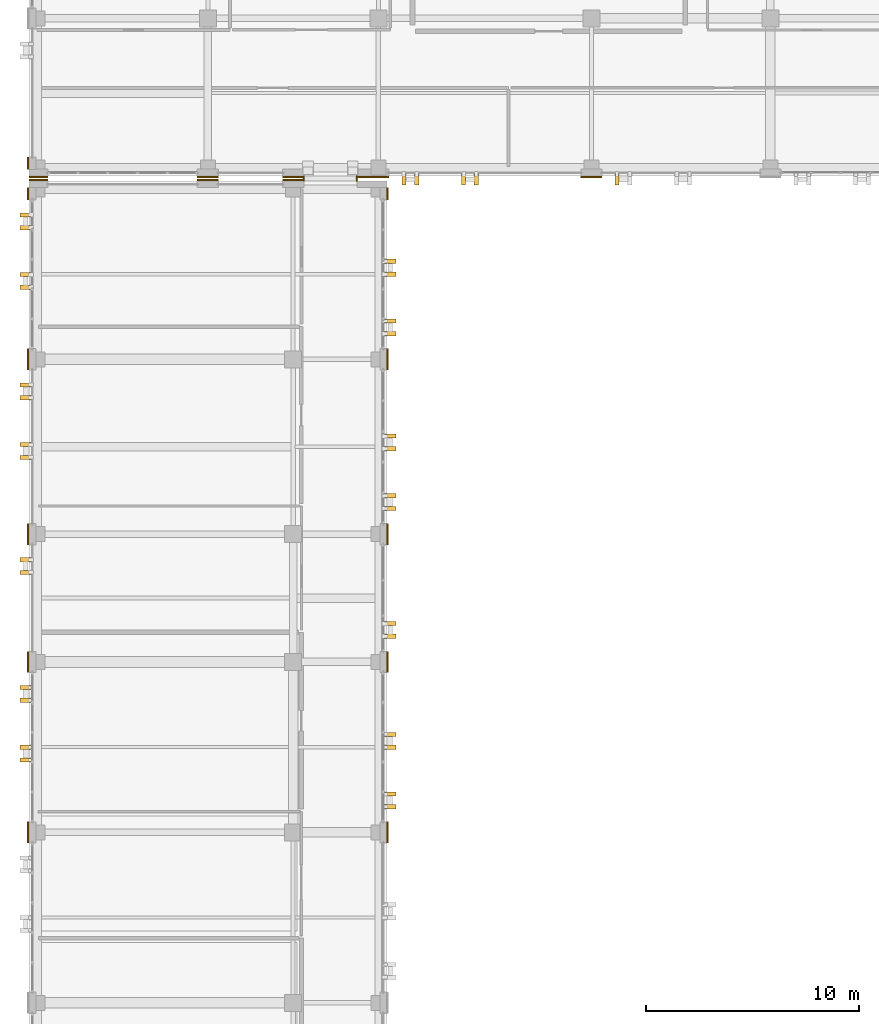
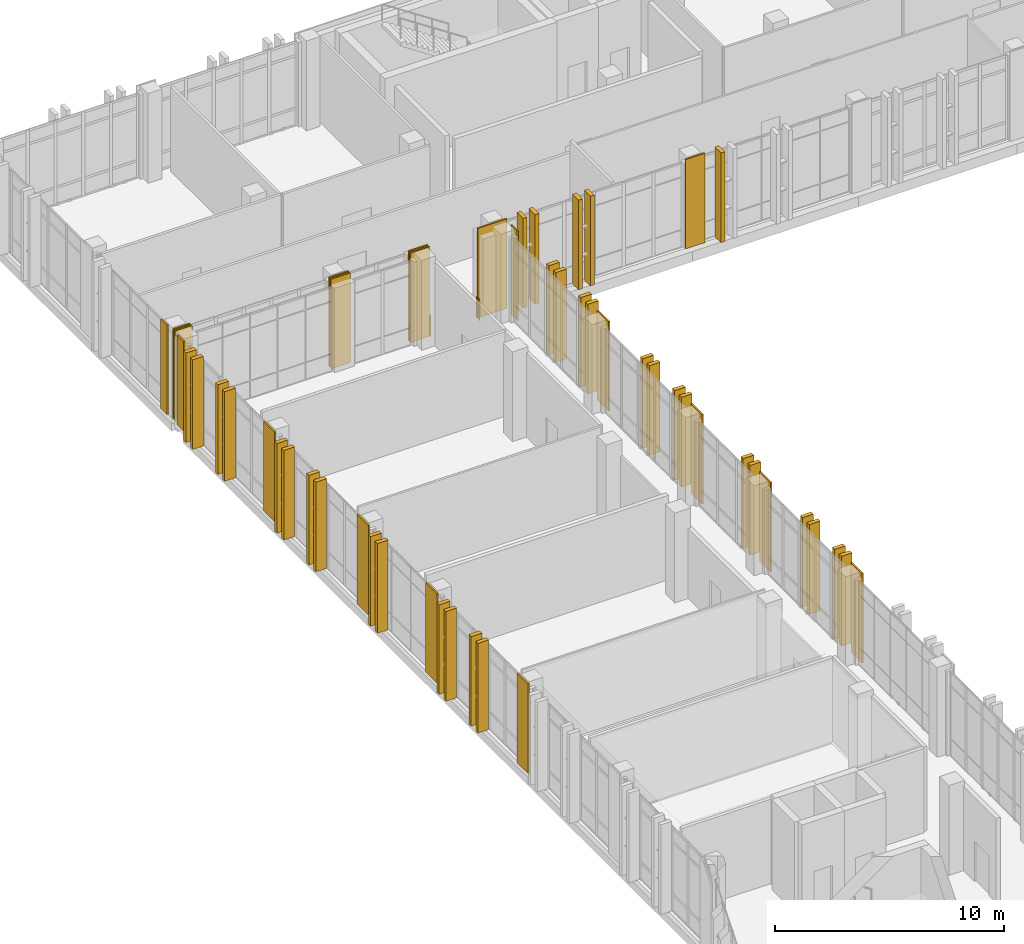
# One storey, part 178 of 189: 52 coverings, 2 railings.
"""IFC4 building model written with IfcOpenShell, lengths in metres."""

from ifc_helpers import new_model, si_unit, direction, frame, origin, origin_2d, place, context, subcontext, project, spatial, rectangle, circle, extrude, material, layer, layer_set, type_object, element, save


model = new_model("IFC4")

# Units and contexts
model_context = context("Model", 3, precision=1e-05, world=origin(), true_north=direction((0.0, 1.0)))
body_context = subcontext(model_context, "Body", "Model", "MODEL_VIEW")
ifc_project = project(units=[si_unit("LENGTHUNIT", "METRE"), si_unit("AREAUNIT", "SQUARE_METRE"), si_unit("VOLUMEUNIT", "CUBIC_METRE"), si_unit("PLANEANGLEUNIT", "RADIAN"), si_unit("MASSUNIT", "GRAM", prefix="KILO")], contexts=[model_context])

# Site, building, storey
site_placement = place(None, origin())
site = spatial("IfcSite", under=ifc_project, at=site_placement, CompositionType="ELEMENT")
building_placement = place(site_placement, origin())
building = spatial("IfcBuilding", under=site, at=building_placement, Name="Qalavern Law Courts", CompositionType="ELEMENT")
storey_placement = place(building_placement, frame((0.0, 0.0, 5.39990234375)))
storey = spatial("IfcBuildingStorey", under=building, at=storey_placement, Name="L01", CompositionType="ELEMENT", Elevation=5.39990234375)

# Railings
ifc_material_1 = material(Name="Steel S355", Category="steel")
railing_type = type_object("IfcRailingType", Name="ENV-BAL-1120", PredefinedType="BALUSTRADE", material=ifc_material_1)
for number, where, name in (
    (1, (14.909912109375, 95.97998046875, 0.0), "Bridge BR-V3-V5 joint guard L01-1"),
    (2, (17.389892578125, 95.97998046875, 0.0), "Bridge BR-V3-V5 joint guard L01-2"),
):
    element("IfcRailing", number, at=place(storey_placement, frame(where)), inside=storey, type_object=railing_type, Name=name, PredefinedType="BALUSTRADE", context=body_context, shape_type="SweptSolid", body=[
        extrude(circle(Radius=0.02392578125, at=origin_2d()), frame((0.0, 0.0, 1.09619140625), z_axis=(0.0, 1.0, 0.0), x_axis=(-1.0, 0.0, 0.0)), (0.0, 0.0, 1.0), 0.219970703125),
        extrude(circle(Radius=0.02099609375, at=origin_2d()), origin(), (0.0, 0.0, 1.0), 1.072021484375),
        extrude(circle(Radius=0.02099609375, at=origin_2d()), frame((0.0, 0.219970703125, 0.0)), (0.0, 0.0, 1.0), 1.072021484375),
    ])

# Coverings
ifc_material_2 = material(Name="Precast concrete C40/50", Category="concrete")
ifc_layer_1 = layer(ifc_material_2, 0.199951171875)
ifc_layer_set_1 = layer_set([ifc_layer_1], Name="Precast concrete C40/50")
covering_type_1 = type_object("IfcCoveringType", Name="ENV-BLD-1", PredefinedType="CLADDING", material=ifc_layer_set_1)
for number, where, z_axis, x_axis, name in (
    (3, (18.947509765625, 66.60009765625, 0.005126953125), (0.0, 0.0, 1.0), (1.0, 0.0, 0.0), "Absheron stone facade blade 0209"),
    (4, (18.947509765625, 67.199951171875, 0.005126953125), (0.0, 0.0, 1.0), (1.0, 0.0, 0.0), "Absheron stone facade blade 0210"),
    (5, (18.947509765625, 69.39990234375, 0.005126953125), (0.0, 0.0, 1.0), (1.0, 0.0, 0.0), "Absheron stone facade blade 0211"),
    (6, (18.947509765625, 70.0, 0.005126953125), (0.0, 0.0, 1.0), (1.0, 0.0, 0.0), "Absheron stone facade blade 0212"),
    (7, (18.947509765625, 74.60009765625, 0.005126953125), (0.0, 0.0, 1.0), (1.0, 0.0, 0.0), "Absheron stone facade blade 0213"),
    (8, (18.947509765625, 75.199951171875, 0.005126953125), (0.0, 0.0, 1.0), (1.0, 0.0, 0.0), "Absheron stone facade blade 0214"),
    (9, (18.947509765625, 80.60009765625, 0.005126953125), (0.0, 0.0, 1.0), (1.0, 0.0, 0.0), "Absheron stone facade blade 0215"),
    (10, (18.947509765625, 81.199951171875, 0.005126953125), (0.0, 0.0, 1.0), (1.0, 0.0, 0.0), "Absheron stone facade blade 0216"),
    (11, (18.947509765625, 83.39990234375, 0.005126953125), (0.0, 0.0, 1.0), (1.0, 0.0, 0.0), "Absheron stone facade blade 0217"),
    (12, (18.947509765625, 84.0, 0.005126953125), (0.0, 0.0, 1.0), (1.0, 0.0, 0.0), "Absheron stone facade blade 0218"),
    (13, (18.947509765625, 88.800048828125, 0.005126953125), (0.0, 0.0, 1.0), (1.0, 0.0, 0.0), "Absheron stone facade blade 0219"),
    (14, (18.947509765625, 89.39990234375, 0.005126953125), (0.0, 0.0, 1.0), (1.0, 0.0, 0.0), "Absheron stone facade blade 0220"),
    (15, (18.947509765625, 91.60009765625, 0.005126953125), (0.0, 0.0, 1.0), (1.0, 0.0, 0.0), "Absheron stone facade blade 0221"),
    (16, (18.947509765625, 92.199951171875, 0.005126953125), (0.0, 0.0, 1.0), (1.0, 0.0, 0.0), "Absheron stone facade blade 0222"),
    (17, (1.8525390625, 94.3798828125, 0.005126953125), (0.0, 0.0, 1.0), (-1.0, 0.0, 0.0), "Absheron stone facade blade 0223"),
    (18, (1.8525390625, 93.780029296875, 0.005126953125), (0.0, 0.0, 1.0), (-1.0, 0.0, 0.0), "Absheron stone facade blade 0224"),
    (19, (1.8525390625, 91.580078125, 0.005126953125), (0.0, 0.0, 1.0), (-1.0, 0.0, 0.0), "Absheron stone facade blade 0225"),
    (20, (1.8525390625, 90.97998046875, 0.005126953125), (0.0, 0.0, 1.0), (-1.0, 0.0, 0.0), "Absheron stone facade blade 0226"),
    (21, (1.8525390625, 86.39990234375, 0.005126953125), (0.0, 0.0, 1.0), (-1.0, 0.0, 0.0), "Absheron stone facade blade 0227"),
    (22, (1.8525390625, 85.800048828125, 0.005126953125), (0.0, 0.0, 1.0), (-1.0, 0.0, 0.0), "Absheron stone facade blade 0228"),
    (23, (1.8525390625, 83.60009765625, 0.005126953125), (0.0, 0.0, 1.0), (-1.0, 0.0, 0.0), "Absheron stone facade blade 0229"),
    (24, (1.8525390625, 83.0, 0.005126953125), (0.0, 0.0, 1.0), (-1.0, 0.0, 0.0), "Absheron stone facade blade 0230"),
    (25, (1.8525390625, 78.199951171875, 0.005126953125), (0.0, 0.0, 1.0), (-1.0, 0.0, 0.0), "Absheron stone facade blade 0231"),
    (26, (1.8525390625, 77.60009765625, 0.005126953125), (0.0, 0.0, 1.0), (-1.0, 0.0, 0.0), "Absheron stone facade blade 0232"),
    (27, (1.8525390625, 72.199951171875, 0.005126953125), (0.0, 0.0, 1.0), (-1.0, 0.0, 0.0), "Absheron stone facade blade 0233"),
    (28, (1.8525390625, 71.60009765625, 0.005126953125), (0.0, 0.0, 1.0), (-1.0, 0.0, 0.0), "Absheron stone facade blade 0234"),
    (29, (1.8525390625, 69.39990234375, 0.005126953125), (0.0, 0.0, 1.0), (-1.0, 0.0, 0.0), "Absheron stone facade blade 0235"),
    (30, (1.8525390625, 68.800048828125, 0.005126953125), (0.0, 0.0, 1.0), (-1.0, 0.0, 0.0), "Absheron stone facade blade 0236"),
    (31, (19.60009765625, 96.052490234375, 0.005126953125), (0.0, 0.0, 1.0), (0.0, -1.0, 0.0), "Absheron stone facade blade 0897"),
    (32, (20.199951171875, 96.052490234375, 0.005126953125), (0.0, 0.0, 1.0), (0.0, -1.0, 0.0), "Absheron stone facade blade 0898"),
    (33, (22.39990234375, 96.052490234375, 0.005126953125), (0.0, 0.0, 1.0), (0.0, -1.0, 0.0), "Absheron stone facade blade 0899"),
    (34, (23.0, 96.052490234375, 0.005126953125), (0.0, 0.0, 1.0), (0.0, -1.0, 0.0), "Absheron stone facade blade 0900"),
    (35, (29.60009765625, 96.052490234375, 0.005126953125), (0.0, 0.0, 1.0), (0.0, -1.0, 0.0), "Absheron stone facade blade 0901"),
):
    element("IfcCovering", number, at=place(storey_placement, frame(where, z_axis=z_axis, x_axis=x_axis)), inside=storey, type_object=covering_type_1, Name=name, PredefinedType="CLADDING", context=body_context, shape_type="SweptSolid", body=[
        extrude(rectangle(XDim=0.5400390625, YDim=0.199951171875, at=origin_2d()), origin(), (0.0, 0.0, 1.0), 4.7900390625),
    ])
ifc_layer_2 = layer(ifc_material_2, 0.072021484375)
ifc_layer_set_2 = layer_set([ifc_layer_2], Name="Precast concrete C40/50")
covering_type_2 = type_object("IfcCoveringType", Name="ENV-CLD-2", PredefinedType="CLADDING", material=ifc_layer_set_2)
for number, where, z_axis, x_axis, name in (
    (36, (18.8330078125, 65.39990234375, 0.01025390625), (0.0, 0.0, 1.0), (0.0, 1.0, 0.0), "V3 Absheron limestone pier facing L01 east 4"),
    (37, (18.8330078125, 73.39990234375, 0.01025390625), (0.0, 0.0, 1.0), (0.0, 1.0, 0.0), "V3 Absheron limestone pier facing L01 east 5"),
    (38, (18.8330078125, 79.39990234375, 0.01025390625), (0.0, 0.0, 1.0), (0.0, 1.0, 0.0), "V3 Absheron limestone pier facing L01 east 6"),
    (39, (18.8330078125, 87.60009765625, 0.01025390625), (0.0, 0.0, 1.0), (0.0, 1.0, 0.0), "V3 Absheron limestone pier facing L01 east 7"),
):
    element("IfcCovering", number, at=place(storey_placement, frame(where, z_axis=z_axis, x_axis=x_axis)), inside=storey, type_object=covering_type_2, Name=name, PredefinedType="CLADDING", context=body_context, shape_type="SweptSolid", body=[
        extrude(rectangle(XDim=0.97998046875, YDim=0.072021484375, at=origin_2d()), origin(), (0.0, 0.0, 1.0), 4.780029296875),
    ])
covering_1_placement = place(storey_placement, frame((18.8330078125, 95.3701171875, 0.01025390625), z_axis=(0.0, 0.0, 1.0), x_axis=(0.0, 1.0, 0.0)))
element("IfcCovering", 40, at=covering_1_placement, inside=storey, type_object=covering_type_2, Name="V3 Absheron limestone pier facing L01 east 8", PredefinedType="CLADDING", context=body_context, shape_type="SweptSolid", body=[
    extrude(rectangle(XDim=0.56005859375, YDim=0.072021484375, at=origin_2d()), origin(), (0.0, 0.0, 1.0), 4.780029296875),
])
for number, where, z_axis, x_axis, name in (
    (41, (14.39990234375, 96.012939453125, 0.01025390625), (0.0, 0.0, 1.0), (-1.0, 0.0, 0.0), "V3 Absheron limestone pier facing L01 north 1"),
    (42, (10.39990234375, 96.012939453125, 0.01025390625), (0.0, 0.0, 1.0), (-1.0, 0.0, 0.0), "V3 Absheron limestone pier facing L01 north 2"),
):
    element("IfcCovering", number, at=place(storey_placement, frame(where, z_axis=z_axis, x_axis=x_axis)), inside=storey, type_object=covering_type_2, Name=name, PredefinedType="CLADDING", context=body_context, shape_type="SweptSolid", body=[
        extrude(rectangle(XDim=0.97998046875, YDim=0.072021484375, at=origin_2d()), origin(), (0.0, 0.0, 1.0), 4.780029296875),
    ])
covering_2_placement = place(storey_placement, frame((2.449951171875, 96.012939453125, 0.01025390625), z_axis=(0.0, 0.0, 1.0), x_axis=(-1.0, 0.0, 0.0)))
element("IfcCovering", 43, at=covering_2_placement, inside=storey, type_object=covering_type_2, Name="V3 Absheron limestone pier facing L01 north 3", PredefinedType="CLADDING", context=body_context, shape_type="SweptSolid", body=[
    extrude(rectangle(XDim=0.8798828125, YDim=0.072021484375, at=origin_2d()), origin(), (0.0, 0.0, 1.0), 4.780029296875),
])
covering_3_placement = place(storey_placement, frame((1.967041015625, 95.3701171875, 0.01025390625), z_axis=(0.0, 0.0, 1.0), x_axis=(0.0, -1.0, 0.0)))
element("IfcCovering", 44, at=covering_3_placement, inside=storey, type_object=covering_type_2, Name="V3 Absheron limestone pier facing L01 west 1", PredefinedType="CLADDING", context=body_context, shape_type="SweptSolid", body=[
    extrude(rectangle(XDim=0.56005859375, YDim=0.072021484375, at=origin_2d()), origin(), (0.0, 0.0, 1.0), 4.780029296875),
])
for number, where, z_axis, x_axis, name in (
    (45, (1.967041015625, 87.60009765625, 0.01025390625), (0.0, 0.0, 1.0), (0.0, -1.0, 0.0), "V3 Absheron limestone pier facing L01 west 2"),
    (46, (1.967041015625, 79.39990234375, 0.01025390625), (0.0, 0.0, 1.0), (0.0, -1.0, 0.0), "V3 Absheron limestone pier facing L01 west 3"),
    (47, (1.967041015625, 73.39990234375, 0.01025390625), (0.0, 0.0, 1.0), (0.0, -1.0, 0.0), "V3 Absheron limestone pier facing L01 west 4"),
    (48, (1.967041015625, 65.39990234375, 0.01025390625), (0.0, 0.0, 1.0), (0.0, -1.0, 0.0), "V3 Absheron limestone pier facing L01 west 5"),
):
    element("IfcCovering", number, at=place(storey_placement, frame(where, z_axis=z_axis, x_axis=x_axis)), inside=storey, type_object=covering_type_2, Name=name, PredefinedType="CLADDING", context=body_context, shape_type="SweptSolid", body=[
        extrude(rectangle(XDim=0.97998046875, YDim=0.072021484375, at=origin_2d()), origin(), (0.0, 0.0, 1.0), 4.780029296875),
    ])
covering_4_placement = place(storey_placement, frame((2.449951171875, 96.1669921875, 0.01025390625), z_axis=(0.0, 0.0, 1.0), x_axis=(1.0, 0.0, 0.0)))
element("IfcCovering", 49, at=covering_4_placement, inside=storey, type_object=covering_type_2, Name="V5 Absheron limestone pier facing L01 south 1", PredefinedType="CLADDING", context=body_context, shape_type="SweptSolid", body=[
    extrude(rectangle(XDim=0.8798828125, YDim=0.072021484375, at=origin_2d()), origin(), (0.0, 0.0, 1.0), 4.780029296875),
])
for number, where, z_axis, x_axis, name in (
    (50, (10.39990234375, 96.1669921875, 0.01025390625), (0.0, 0.0, 1.0), (1.0, 0.0, 0.0), "V5 Absheron limestone pier facing L01 south 2"),
    (51, (14.39990234375, 96.1669921875, 0.01025390625), (0.0, 0.0, 1.0), (1.0, 0.0, 0.0), "V5 Absheron limestone pier facing L01 south 3"),
):
    element("IfcCovering", number, at=place(storey_placement, frame(where, z_axis=z_axis, x_axis=x_axis)), inside=storey, type_object=covering_type_2, Name=name, PredefinedType="CLADDING", context=body_context, shape_type="SweptSolid", body=[
        extrude(rectangle(XDim=0.97998046875, YDim=0.072021484375, at=origin_2d()), origin(), (0.0, 0.0, 1.0), 4.780029296875),
    ])
covering_5_placement = place(storey_placement, frame((18.14990234375, 96.1669921875, 0.01025390625), z_axis=(0.0, 0.0, 1.0), x_axis=(1.0, 0.0, 0.0)))
element("IfcCovering", 52, at=covering_5_placement, inside=storey, type_object=covering_type_2, Name="V5 Absheron limestone pier facing L01 south 1", PredefinedType="CLADDING", context=body_context, shape_type="SweptSolid", body=[
    extrude(rectangle(XDim=1.47998046875, YDim=0.072021484375, at=origin_2d()), origin(), (0.0, 0.0, 1.0), 4.780029296875),
])
covering_6_placement = place(storey_placement, frame((28.39990234375, 96.1669921875, 0.01025390625), z_axis=(0.0, 0.0, 1.0), x_axis=(1.0, 0.0, 0.0)))
element("IfcCovering", 53, at=covering_6_placement, inside=storey, type_object=covering_type_2, Name="V5 Absheron limestone pier facing L01 south 2", PredefinedType="CLADDING", context=body_context, shape_type="SweptSolid", body=[
    extrude(rectangle(XDim=0.97998046875, YDim=0.072021484375, at=origin_2d()), origin(), (0.0, 0.0, 1.0), 4.780029296875),
])
covering_7_placement = place(storey_placement, frame((1.967041015625, 96.81005859375, 0.01025390625), z_axis=(0.0, 0.0, 1.0), x_axis=(0.0, -1.0, 0.0)))
element("IfcCovering", 54, at=covering_7_placement, inside=storey, type_object=covering_type_2, Name="V5 Absheron limestone pier facing L01 west 3", PredefinedType="CLADDING", context=body_context, shape_type="SweptSolid", body=[
    extrude(rectangle(XDim=0.56005859375, YDim=0.072021484375, at=origin_2d()), origin(), (0.0, 0.0, 1.0), 4.780029296875),
])

save(model, "model.ifc")
